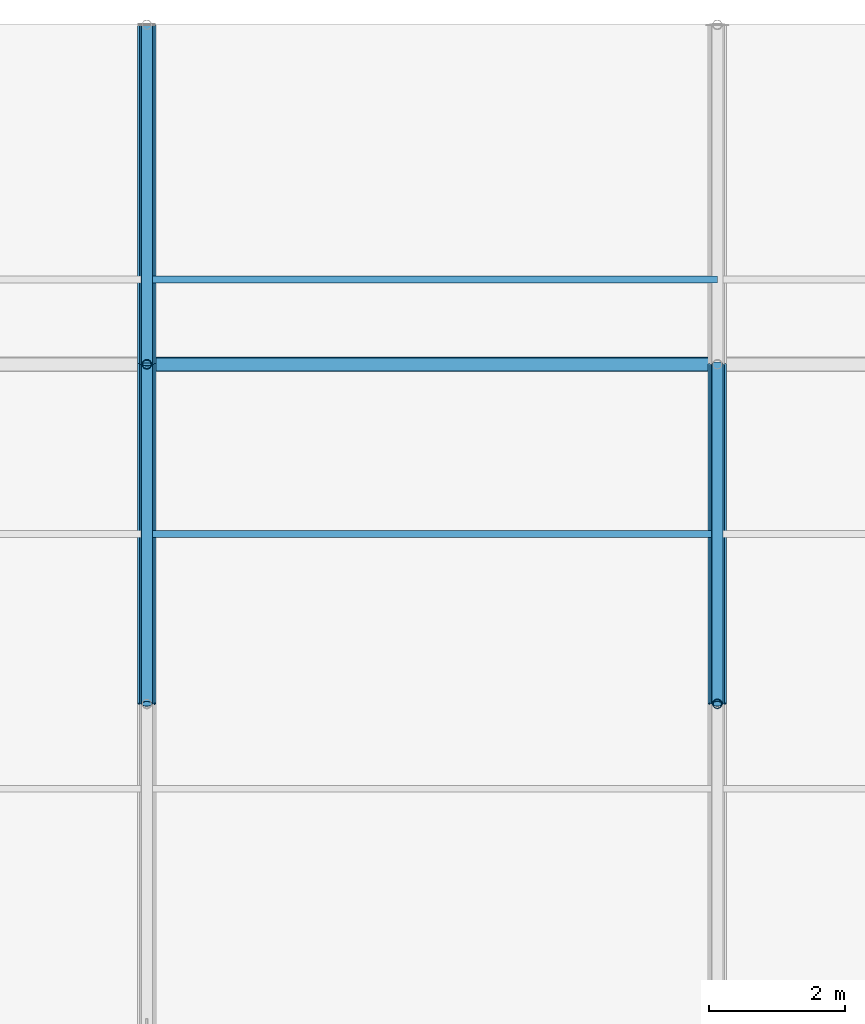
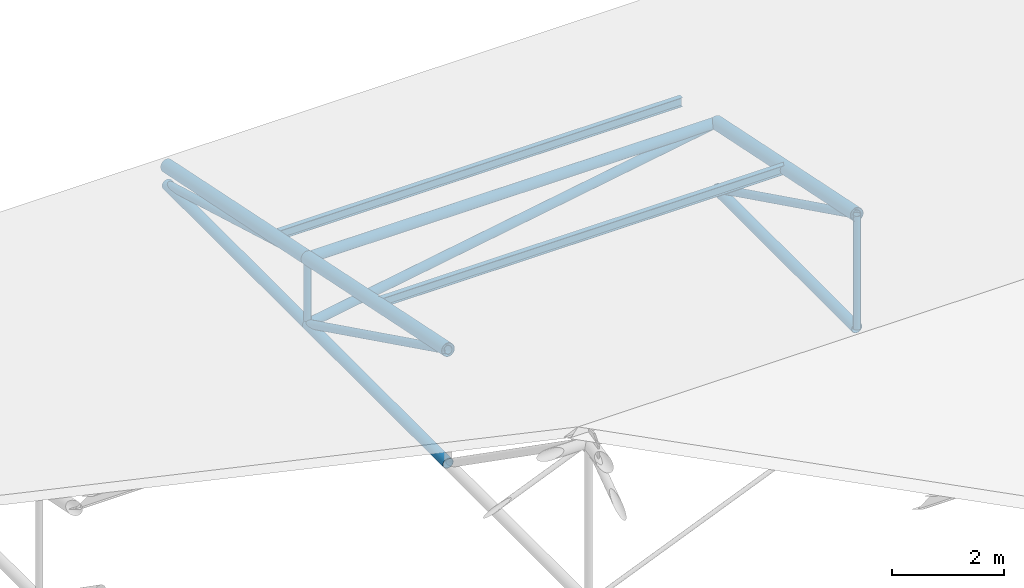
# One storey, part 99 of 194: 13 members, 2 beams.
"""IFC4 building model written with IfcOpenShell, lengths in metres."""

from ifc_helpers import new_model, si_unit, direction, frame, origin, origin_2d, place, context, subcontext, project, spatial, hollow_circle, i_section, extrude, material, material_profile, profile_set, type_object, element, save


model = new_model("IFC4")

# Units and contexts
model_context = context("Model", 3, precision=1e-05, world=origin(), true_north=direction((0.0, 1.0)))
body_context = subcontext(model_context, "Body", "Model", "MODEL_VIEW")
ifc_project = project(units=[si_unit("LENGTHUNIT", "METRE"), si_unit("AREAUNIT", "SQUARE_METRE"), si_unit("VOLUMEUNIT", "CUBIC_METRE"), si_unit("PLANEANGLEUNIT", "RADIAN"), si_unit("MASSUNIT", "GRAM", prefix="KILO")], contexts=[model_context])

# Site, building, storey
site_placement = place(None, origin())
site = spatial("IfcSite", under=ifc_project, at=site_placement, CompositionType="ELEMENT")
building_placement = place(site_placement, origin())
building = spatial("IfcBuilding", under=site, at=building_placement, Name="Kazenagashi Tramway Depot", CompositionType="ELEMENT")
storey_placement = place(building_placement, frame((0.0, 0.0, 23.7)))
storey = spatial("IfcBuildingStorey", under=building, at=storey_placement, Name="ROOF", CompositionType="ELEMENT", Elevation=23.7)

# Beams
ifc_material_1 = material(Name="Steel SN400B", Category="steel")
ifc_material_profile_1 = material_profile(ifc_material_1, i_section(OverallWidth=0.1, OverallDepth=0.2, WebThickness=0.0055, FlangeThickness=0.008, at=origin_2d()), Name="H-200x100x5.5x8")
ifc_profile_set_1 = profile_set([ifc_material_profile_1], Name="Steel SN400B")
beam_type = type_object("IfcBeamType", Name="PR-01", PredefinedType="USERDEFINED", material=ifc_profile_set_1)
for number, where, z_axis, x_axis, name in (
    (1, (145.6, 122.5, -12.13), (1.0, 0.0, 0.0), (0.0, 1.0, 0.0), "Beam PR-01 BM-2210"),
    (2, (145.6, 126.25, -12.955), (1.0, 0.0, 0.0), (0.0, 1.0, 0.0), "Beam PR-01 BM-2228"),
):
    element("IfcBeam", number, at=place(storey_placement, frame(where, z_axis=z_axis, x_axis=x_axis)), inside=storey, type_object=beam_type, Name=name, ObjectType="PURLIN", PredefinedType="USERDEFINED", context=body_context, shape_type="SweptSolid", body=[
        extrude(i_section(OverallWidth=0.1, OverallDepth=0.2, WebThickness=0.0055, FlangeThickness=0.008, at=origin_2d()), origin(), (0.0, 0.0, 1.0), 8.4),
    ])

# Members
ifc_material_2 = material(Name="Steel STK490", Category="steel")
ifc_material_profile_2 = material_profile(ifc_material_2, hollow_circle(Radius=0.1337, WallThickness=0.0093, at=origin_2d()), Name="CHS-267.4x9.3")
ifc_profile_set_2 = profile_set([ifc_material_profile_2], Name="Steel STK490")
member_type_1 = type_object("IfcMemberType", Name="TC-01", PredefinedType="CHORD", material=ifc_profile_set_2)
member_1_placement = place(storey_placement, frame((145.6, 120.0, -11.633), z_axis=(0.0, 0.979279174591, -0.202514933305), x_axis=(-1.0, 0.0, 0.0)))
element("IfcMember", 3, at=member_1_placement, inside=storey, type_object=member_type_1, Name="Tubular Space Frame TC-01 MEM-0776", PredefinedType="CHORD", context=body_context, shape_type="SweptSolid", body=[
    extrude(hollow_circle(Radius=0.1337, WallThickness=0.0093, at=origin_2d()), origin(), (0.0, 0.0, 1.0), 5.105796),
])
member_2_placement = place(storey_placement, frame((145.6, 125.0, -12.667), z_axis=(0.0, 0.979317999984, -0.202327098797), x_axis=(-1.0, 0.0, 0.0)))
element("IfcMember", 4, at=member_2_placement, inside=storey, type_object=member_type_1, Name="Tubular Space Frame TC-01 MEM-0779", PredefinedType="CHORD", context=body_context, shape_type="SweptSolid", body=[
    extrude(hollow_circle(Radius=0.1337, WallThickness=0.0093, at=origin_2d()), origin(), (0.0, 0.0, 1.0), 5.105594),
])
member_3_placement = place(storey_placement, frame((154.0, 120.0, -11.633), z_axis=(0.0, 0.979279174591, -0.202514933305), x_axis=(-1.0, 0.0, 0.0)))
element("IfcMember", 5, at=member_3_placement, inside=storey, type_object=member_type_1, Name="Tubular Space Frame TC-01 MEM-0837", PredefinedType="CHORD", context=body_context, shape_type="SweptSolid", body=[
    extrude(hollow_circle(Radius=0.1337, WallThickness=0.0093, at=origin_2d()), origin(), (0.0, 0.0, 1.0), 5.105796),
])
ifc_material_profile_3 = material_profile(ifc_material_2, hollow_circle(Radius=0.10815, WallThickness=0.0082, at=origin_2d()), Name="CHS-216.3x8.2")
ifc_profile_set_3 = profile_set([ifc_material_profile_3], Name="Steel STK490")
member_type_2 = type_object("IfcMemberType", Name="TC-02", PredefinedType="CHORD", material=ifc_profile_set_3)
for number, where, z_axis, x_axis, name in (
    (6, (145.6, 120.0, -14.1), (0.0, 1.0, 0.0), (-1.0, 0.0, 0.0), "Tubular Space Frame TC-02 MEM-0777"),
    (7, (145.6, 125.0, -14.1), (0.0, 1.0, 0.0), (-1.0, 0.0, 0.0), "Tubular Space Frame TC-02 MEM-0780"),
):
    element("IfcMember", number, at=place(storey_placement, frame(where, z_axis=z_axis, x_axis=x_axis)), inside=storey, type_object=member_type_2, Name=name, PredefinedType="CHORD", context=body_context, shape_type="SweptSolid", body=[
        extrude(hollow_circle(Radius=0.10815, WallThickness=0.0082, at=origin_2d()), origin(), (0.0, 0.0, 1.0), 5.0),
    ])
member_4_placement = place(storey_placement, frame((145.6, 125.0, -12.667), z_axis=(1.0, 0.0, 0.0), x_axis=(0.0, 1.0, 0.0)))
element("IfcMember", 8, at=member_4_placement, inside=storey, type_object=member_type_2, Name="Tubular Space Frame TC-02 MEM-0792", PredefinedType="CHORD", context=body_context, shape_type="SweptSolid", body=[
    extrude(hollow_circle(Radius=0.10815, WallThickness=0.0082, at=origin_2d()), origin(), (0.0, 0.0, 1.0), 8.4),
])
member_5_placement = place(storey_placement, frame((154.0, 120.0, -14.1), z_axis=(0.0, 1.0, 0.0), x_axis=(-1.0, 0.0, 0.0)))
element("IfcMember", 9, at=member_5_placement, inside=storey, type_object=member_type_2, Name="Tubular Space Frame TC-02 MEM-0838", PredefinedType="CHORD", context=body_context, shape_type="SweptSolid", body=[
    extrude(hollow_circle(Radius=0.10815, WallThickness=0.0082, at=origin_2d()), origin(), (0.0, 0.0, 1.0), 5.0),
])
ifc_material_profile_4 = material_profile(ifc_material_2, hollow_circle(Radius=0.0826, WallThickness=0.0071, at=origin_2d()), Name="CHS-165.2x7.1")
ifc_profile_set_4 = profile_set([ifc_material_profile_4], Name="Steel STK490")
member_type_3 = type_object("IfcMemberType", Name="TS-01", PredefinedType="STRUT", material=ifc_profile_set_4)
member_6_placement = place(storey_placement, frame((145.6, 120.0, -11.633), z_axis=(0.0, 0.896782162482, -0.442472318969), x_axis=(-1.0, 0.0, 0.0)))
element("IfcMember", 10, at=member_6_placement, inside=storey, type_object=member_type_3, Name="Tubular Space Frame TS-01 MEM-0778", PredefinedType="STRUT", context=body_context, shape_type="SweptSolid", body=[
    extrude(hollow_circle(Radius=0.0826, WallThickness=0.0071, at=origin_2d()), origin(), (0.0, 0.0, 1.0), 5.57549),
])
member_7_placement = place(storey_placement, frame((145.6, 125.0, -12.667), z_axis=(0.0, 0.961298717795, -0.27550821252), x_axis=(-1.0, 0.0, 0.0)))
element("IfcMember", 11, at=member_7_placement, inside=storey, type_object=member_type_3, Name="Tubular Space Frame TS-01 MEM-0781", PredefinedType="STRUT", context=body_context, shape_type="SweptSolid", body=[
    extrude(hollow_circle(Radius=0.0826, WallThickness=0.0071, at=origin_2d()), origin(), (0.0, 0.0, 1.0), 5.201297),
])
member_8_placement = place(storey_placement, frame((154.0, 120.0, -11.633), z_axis=(0.0, 0.896782162482, -0.442472318969), x_axis=(-1.0, 0.0, 0.0)))
element("IfcMember", 12, at=member_8_placement, inside=storey, type_object=member_type_3, Name="Tubular Space Frame TS-01 MEM-0839", PredefinedType="STRUT", context=body_context, shape_type="SweptSolid", body=[
    extrude(hollow_circle(Radius=0.0826, WallThickness=0.0071, at=origin_2d()), origin(), (0.0, 0.0, 1.0), 5.57549),
])
ifc_material_profile_5 = material_profile(ifc_material_2, hollow_circle(Radius=0.0699, WallThickness=0.0066, at=origin_2d()), Name="CHS-139.8x6.6")
ifc_profile_set_5 = profile_set([ifc_material_profile_5], Name="Steel STK490")
member_type_4 = type_object("IfcMemberType", Name="TS-02", PredefinedType="STRUT", material=ifc_profile_set_5)
member_9_placement = place(storey_placement, frame((145.6, 125.0, -14.1), z_axis=(0.0, 0.0, 1.0), x_axis=(1.0, 0.0, 0.0)))
element("IfcMember", 13, at=member_9_placement, inside=storey, type_object=member_type_4, Name="Tubular Space Frame TS-02 MEM-0786", PredefinedType="STRUT", context=body_context, shape_type="SweptSolid", body=[
    extrude(hollow_circle(Radius=0.0699, WallThickness=0.0066, at=origin_2d()), origin(), (0.0, 0.0, 1.0), 1.433),
])
member_10_placement = place(storey_placement, frame((154.0, 120.0, -14.1), z_axis=(0.0, 0.0, 1.0), x_axis=(1.0, 0.0, 0.0)))
element("IfcMember", 14, at=member_10_placement, inside=storey, type_object=member_type_4, Name="Tubular Space Frame TS-02 MEM-0846", PredefinedType="STRUT", context=body_context, shape_type="SweptSolid", body=[
    extrude(hollow_circle(Radius=0.0699, WallThickness=0.0066, at=origin_2d()), origin(), (0.0, 0.0, 1.0), 2.467),
])
ifc_material_profile_6 = material_profile(ifc_material_2, hollow_circle(Radius=0.09535, WallThickness=0.007, at=origin_2d()), Name="CHS-190.7x7.0")
ifc_profile_set_6 = profile_set([ifc_material_profile_6], Name="Steel STK490")
member_type_5 = type_object("IfcMemberType", Name="TS-05", PredefinedType="STRUT", material=ifc_profile_set_6)
member_11_placement = place(storey_placement, frame((145.6, 125.0, -14.1), z_axis=(0.985758734117, 0.0, 0.168165745951), x_axis=(0.0, 1.0, 0.0)))
element("IfcMember", 15, at=member_11_placement, inside=storey, type_object=member_type_5, Name="Tubular Space Frame TS-05 MEM-0793", PredefinedType="STRUT", context=body_context, shape_type="SweptSolid", body=[
    extrude(hollow_circle(Radius=0.09535, WallThickness=0.007, at=origin_2d()), origin(), (0.0, 0.0, 1.0), 8.521355),
])

save(model, "model.ifc")
